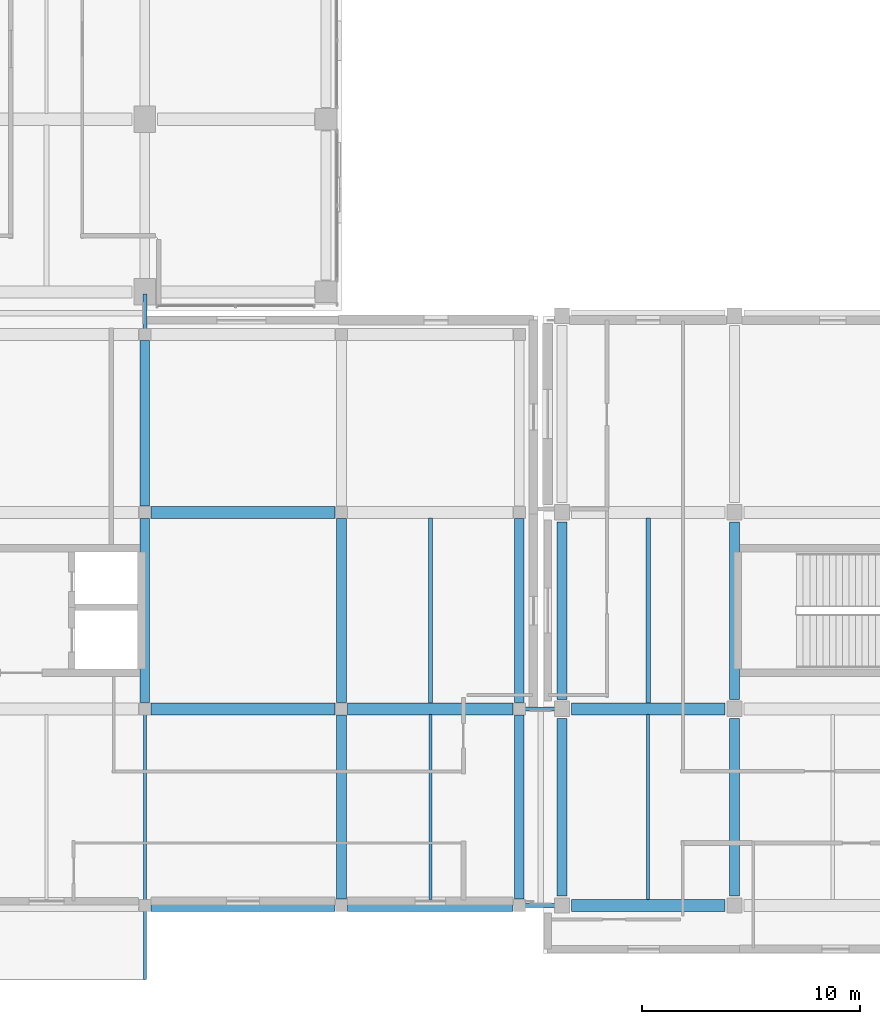
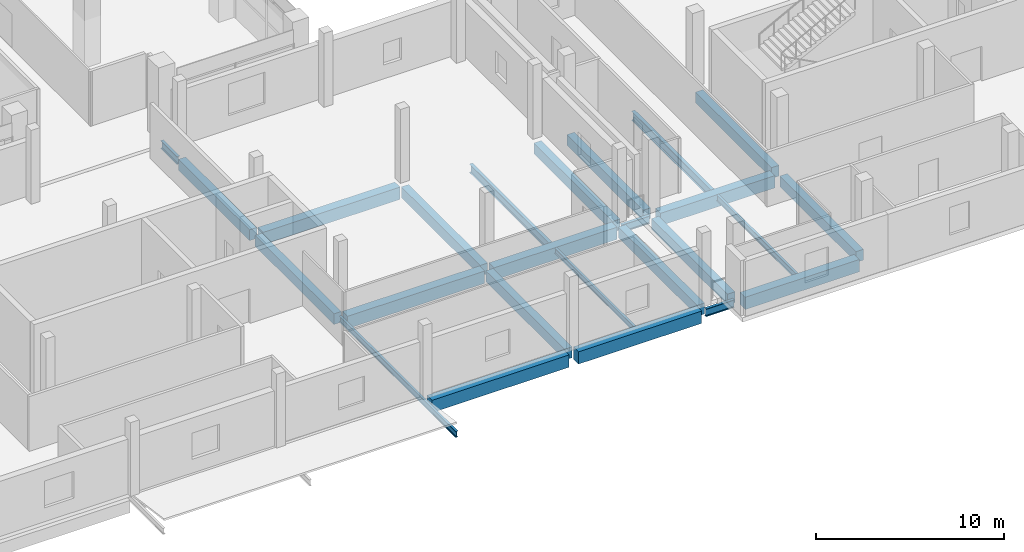
# One storey, part 7 of 111: 25 beams.
"""IFC4 building model written with IfcOpenShell, lengths in metres."""

from ifc_helpers import new_model, si_unit, direction, frame, origin, origin_2d, place, context, subcontext, project, spatial, rectangle, i_section, extrude, material, material_profile, profile_set, type_object, element, save


model = new_model("IFC4")

# Units and contexts
model_context = context("Model", 3, precision=1e-05, world=origin(), true_north=direction((0.0, 1.0)))
body_context = subcontext(model_context, "Body", "Model", "MODEL_VIEW")
ifc_project = project(units=[si_unit("LENGTHUNIT", "METRE"), si_unit("AREAUNIT", "SQUARE_METRE"), si_unit("VOLUMEUNIT", "CUBIC_METRE"), si_unit("PLANEANGLEUNIT", "RADIAN"), si_unit("MASSUNIT", "GRAM", prefix="KILO"), si_unit("THERMODYNAMICTEMPERATUREUNIT", "KELVIN"), si_unit("POWERUNIT", "WATT")], contexts=[model_context])

# Site, building, storey
site_placement = place(None, origin())
site = spatial("IfcSite", under=ifc_project, at=site_placement, CompositionType="ELEMENT")
building_placement = place(site_placement, origin())
building = spatial("IfcBuilding", under=site, at=building_placement, Name="Sindhuravela Promenade Stadium", CompositionType="ELEMENT")
storey_placement = place(building_placement, frame((0.0, 0.0, 9.60009765625)))
storey = spatial("IfcBuildingStorey", under=building, at=storey_placement, Name="L02", CompositionType="ELEMENT", Elevation=9.60009765625)

# Beams
ifc_material_1 = material(Name="Concrete M40", Category="concrete")
ifc_material_profile_1 = material_profile(ifc_material_1, rectangle(XDim=0.449951171875, YDim=0.699951171875, at=origin_2d()), Name="RC 450x700")
ifc_profile_set_1 = profile_set([ifc_material_profile_1], Name="Concrete M40")
beam_type_1 = type_object("IfcBeamType", Name="RC-BM-450x700", PredefinedType="BEAM", material=ifc_profile_set_1)
for number, where, z_axis, x_axis, name in (
    (1, (55.10009765625, 9.43994140625, -0.630126953125), (0.0, 1.0, 0.0), (-1.0, 0.0, 0.0), "Primary beam GB07 SOUTH L02"),
    (2, (55.10009765625, 18.43994140625, -0.630126953125), (0.0, 1.0, 0.0), (-1.0, 0.0, 0.0), "Primary beam GB07 SOUTH L02"),
    (3, (63.0, 9.43994140625, -0.630126953125), (0.0, 1.0, 0.0), (-1.0, 0.0, 0.0), "Primary beam GB07 SOUTH L02"),
    (4, (63.0, 18.43994140625, -0.630126953125), (0.0, 1.0, 0.0), (-1.0, 0.0, 0.0), "Primary beam GB07 SOUTH L02"),
):
    element("IfcBeam", number, at=place(storey_placement, frame(where, z_axis=z_axis, x_axis=x_axis)), inside=storey, type_object=beam_type_1, Name=name, PredefinedType="BEAM", context=body_context, shape_type="SweptSolid", body=[
        extrude(rectangle(XDim=0.449951171875, YDim=0.699951171875, at=origin_2d()), origin(), (0.0, 0.0, 1.0), 8.1201171875),
    ])
beam_1_placement = place(storey_placement, frame((36.0, 18.2900390625, -0.585205078125), z_axis=(0.0, 1.0, 0.0), x_axis=(-1.0, 0.0, 0.0)))
element("IfcBeam", 5, at=beam_1_placement, inside=storey, type_object=beam_type_1, Name="Primary beam GB07 Pavilion SW L02", PredefinedType="BEAM", context=body_context, shape_type="SweptSolid", body=[
    extrude(rectangle(XDim=0.449951171875, YDim=0.699951171875, at=origin_2d()), origin(), (0.0, 0.0, 1.0), 8.419921875),
])
beam_2_placement = place(storey_placement, frame((36.0, 27.2900390625, -0.585205078125), z_axis=(0.0, 1.0, 0.0), x_axis=(-1.0, 0.0, 0.0)))
element("IfcBeam", 6, at=beam_2_placement, inside=storey, type_object=beam_type_1, Name="Primary beam GB07 Pavilion SW L02", PredefinedType="BEAM", context=body_context, shape_type="SweptSolid", body=[
    extrude(rectangle(XDim=0.449951171875, YDim=0.699951171875, at=origin_2d()), origin(), (0.0, 0.0, 1.0), 7.570068359375),
])
for number, where, z_axis, x_axis, name in (
    (7, (45.0, 9.2900390625, -0.585205078125), (0.0, 1.0, 0.0), (-1.0, 0.0, 0.0), "Primary beam GB07 Pavilion SW L02"),
    (8, (45.0, 18.2900390625, -0.585205078125), (0.0, 1.0, 0.0), (-1.0, 0.0, 0.0), "Primary beam GB07 Pavilion SW L02"),
    (9, (53.14990234375, 9.2900390625, -0.585205078125), (0.0, 1.0, 0.0), (-1.0, 0.0, 0.0), "Primary beam GB07 Pavilion SW L02"),
    (10, (53.14990234375, 18.2900390625, -0.585205078125), (0.0, 1.0, 0.0), (-1.0, 0.0, 0.0), "Primary beam GB07 Pavilion SW L02"),
):
    element("IfcBeam", number, at=place(storey_placement, frame(where, z_axis=z_axis, x_axis=x_axis)), inside=storey, type_object=beam_type_1, Name=name, PredefinedType="BEAM", context=body_context, shape_type="SweptSolid", body=[
        extrude(rectangle(XDim=0.449951171875, YDim=0.699951171875, at=origin_2d()), origin(), (0.0, 0.0, 1.0), 8.419921875),
    ])
ifc_material_profile_2 = material_profile(ifc_material_1, rectangle(XDim=0.550048828125, YDim=0.800048828125, at=origin_2d()), Name="RC 550x800")
ifc_profile_set_2 = profile_set([ifc_material_profile_2], Name="Concrete M40")
beam_type_2 = type_object("IfcBeamType", Name="RC-BM-550x800", PredefinedType="BEAM", material=ifc_profile_set_2)
for number, where, z_axis, x_axis, name in (
    (11, (55.5400390625, 9.0, -0.68017578125), (1.0, 0.0, 0.0), (0.0, 1.0, 0.0), "Primary girder GB05 SOUTH L02"),
    (12, (55.5400390625, 18.0, -0.68017578125), (1.0, 0.0, 0.0), (0.0, 1.0, 0.0), "Primary girder GB05 SOUTH L02"),
):
    element("IfcBeam", number, at=place(storey_placement, frame(where, z_axis=z_axis, x_axis=x_axis)), inside=storey, type_object=beam_type_2, Name=name, PredefinedType="BEAM", context=body_context, shape_type="SweptSolid", body=[
        extrude(rectangle(XDim=0.550048828125, YDim=0.800048828125, at=origin_2d()), origin(), (0.0, 0.0, 1.0), 7.02001953125),
    ])
beam_3_placement = place(storey_placement, frame((36.2900390625, 9.0, -0.635009765625), z_axis=(1.0, 0.0, 0.0), x_axis=(0.0, 1.0, 0.0)))
element("IfcBeam", 13, at=beam_3_placement, inside=storey, type_object=beam_type_2, Name="Primary girder GB05 Pavilion SW L02", PredefinedType="BEAM", context=body_context, shape_type="SweptSolid", body=[
    extrude(rectangle(XDim=0.550048828125, YDim=0.800048828125, at=origin_2d()), origin(), (0.0, 0.0, 1.0), 8.419921875),
])
beam_4_placement = place(storey_placement, frame((45.2900390625, 9.0, -0.635009765625), z_axis=(1.0, 0.0, 0.0), x_axis=(0.0, 1.0, 0.0)))
element("IfcBeam", 14, at=beam_4_placement, inside=storey, type_object=beam_type_2, Name="Primary girder GB05 Pavilion SW L02", PredefinedType="BEAM", context=body_context, shape_type="SweptSolid", body=[
    extrude(rectangle(XDim=0.550048828125, YDim=0.800048828125, at=origin_2d()), origin(), (0.0, 0.0, 1.0), 7.570068359375),
])
beam_5_placement = place(storey_placement, frame((36.2900390625, 18.0, -0.635009765625), z_axis=(1.0, 0.0, 0.0), x_axis=(0.0, 1.0, 0.0)))
element("IfcBeam", 15, at=beam_5_placement, inside=storey, type_object=beam_type_2, Name="Primary girder GB05 Pavilion SW L02", PredefinedType="BEAM", context=body_context, shape_type="SweptSolid", body=[
    extrude(rectangle(XDim=0.550048828125, YDim=0.800048828125, at=origin_2d()), origin(), (0.0, 0.0, 1.0), 8.419921875),
])
beam_6_placement = place(storey_placement, frame((45.2900390625, 18.0, -0.635009765625), z_axis=(1.0, 0.0, 0.0), x_axis=(0.0, 1.0, 0.0)))
element("IfcBeam", 16, at=beam_6_placement, inside=storey, type_object=beam_type_2, Name="Primary girder GB05 Pavilion SW L02", PredefinedType="BEAM", context=body_context, shape_type="SweptSolid", body=[
    extrude(rectangle(XDim=0.550048828125, YDim=0.800048828125, at=origin_2d()), origin(), (0.0, 0.0, 1.0), 7.570068359375),
])
beam_7_placement = place(storey_placement, frame((36.2900390625, 27.0, -0.635009765625), z_axis=(1.0, 0.0, 0.0), x_axis=(0.0, 1.0, 0.0)))
element("IfcBeam", 17, at=beam_7_placement, inside=storey, type_object=beam_type_2, Name="Primary girder GB05 Pavilion SW L02", PredefinedType="BEAM", context=body_context, shape_type="SweptSolid", body=[
    extrude(rectangle(XDim=0.550048828125, YDim=0.800048828125, at=origin_2d()), origin(), (0.0, 0.0, 1.0), 8.419921875),
])
ifc_material_2 = material(Name="Steel E350 (IS 2062 E350BR)", Category="steel")
ifc_material_profile_3 = material_profile(ifc_material_2, i_section(OverallWidth=0.139892578125, OverallDepth=0.35009765625, WebThickness=0.008056640625, FlangeThickness=0.01416015625, FilletRadius=0.013916015625, at=origin_2d()), Name="ISMB 350")
ifc_profile_set_3 = profile_set([ifc_material_profile_3], Name="Steel E350 (IS 2062 E350BR)")
beam_type_3 = type_object("IfcBeamType", Name="ST-BM-MB350", PredefinedType="JOIST", material=ifc_profile_set_3)
beam_8_placement = place(storey_placement, frame((49.074951171875, 9.264892578125, -0.41015625), z_axis=(0.0, 1.0, 0.0), x_axis=(-1.0, 0.0, 0.0)))
element("IfcBeam", 18, at=beam_8_placement, inside=storey, type_object=beam_type_3, Name="Secondary floor joist SB04 Pavilion SW L02", PredefinedType="JOIST", context=body_context, shape_type="SweptSolid", body=[
    extrude(i_section(OverallWidth=0.139892578125, OverallDepth=0.35009765625, WebThickness=0.008056640625, FlangeThickness=0.01416015625, FilletRadius=0.013916015625, at=origin_2d()), origin(), (0.0, 0.0, 1.0), 8.47021484375),
])
ifc_material_profile_4 = material_profile(ifc_material_2, i_section(OverallWidth=0.139892578125, OverallDepth=0.39990234375, WebThickness=0.0087890625, FlangeThickness=0.01611328125, FilletRadius=0.013916015625, at=origin_2d()), Name="ISMB 400")
ifc_profile_set_4 = profile_set([ifc_material_profile_4], Name="Steel E350 (IS 2062 E350BR)")
beam_type_4 = type_object("IfcBeamType", Name="ST-BM-MB400", PredefinedType="BEAM", material=ifc_profile_set_4)
beam_9_placement = place(storey_placement, frame((59.050048828125, 9.264892578125, -0.47998046875), z_axis=(0.0, 1.0, 0.0), x_axis=(-1.0, 0.0, 0.0)))
element("IfcBeam", 19, at=beam_9_placement, inside=storey, type_object=beam_type_4, Name="Secondary floor joist SB05 SOUTH L02", PredefinedType="BEAM", context=body_context, shape_type="SweptSolid", body=[
    extrude(i_section(OverallWidth=0.139892578125, OverallDepth=0.39990234375, WebThickness=0.0087890625, FlangeThickness=0.01611328125, FilletRadius=0.013916015625, at=origin_2d()), origin(), (0.0, 0.0, 1.0), 8.47021484375),
])
beam_10_placement = place(storey_placement, frame((36.0, 18.0, -0.4501953125), z_axis=(0.0, -1.0, 0.0), x_axis=(1.0, 0.0, 0.0)))
element("IfcBeam", 20, at=beam_10_placement, inside=storey, type_object=beam_type_4, Name="Main entrance canopy cantilever beam SW-3", PredefinedType="BEAM", context=body_context, shape_type="SweptSolid", body=[
    extrude(i_section(OverallWidth=0.139892578125, OverallDepth=0.39990234375, WebThickness=0.0087890625, FlangeThickness=0.01611328125, FilletRadius=0.013916015625, at=origin_2d()), origin(), (0.0, 0.0, 1.0), 12.39990234375),
])
ifc_material_profile_5 = material_profile(ifc_material_2, i_section(OverallWidth=0.179931640625, OverallDepth=0.5, WebThickness=0.01025390625, FlangeThickness=0.01708984375, FilletRadius=0.01708984375, at=origin_2d()), Name="ISMB 500")
ifc_profile_set_5 = profile_set([ifc_material_profile_5], Name="Steel E350 (IS 2062 E350BR)")
beam_type_5 = type_object("IfcBeamType", Name="ST-BM-MB500", PredefinedType="BEAM", material=ifc_profile_set_5)
for number, where, z_axis, x_axis, name in (
    (21, (36.0, 35.25, -0.610107421875), (0.0, 1.0, 0.0), (-1.0, 0.0, 0.0), "Concourse link bridge L02 West-SW PTFE sliding girder R"),
    (22, (53.25, 9.0, -0.610107421875), (1.0, 0.0, 0.0), (0.0, 1.0, 0.0), "Concourse link bridge L02 South-SW PTFE sliding girder B"),
    (23, (53.25, 18.0, -0.610107421875), (1.0, 0.0, 0.0), (0.0, 1.0, 0.0), "Concourse link bridge L02 South-SW PTFE sliding girder T"),
):
    element("IfcBeam", number, at=place(storey_placement, frame(where, z_axis=z_axis, x_axis=x_axis)), inside=storey, type_object=beam_type_5, Name=name, PredefinedType="BEAM", context=body_context, shape_type="SweptSolid", body=[
        extrude(i_section(OverallWidth=0.179931640625, OverallDepth=0.5, WebThickness=0.01025390625, FlangeThickness=0.01708984375, FilletRadius=0.01708984375, at=origin_2d()), origin(), (0.0, 0.0, 1.0), 1.75),
    ])
ifc_material_profile_6 = material_profile(ifc_material_2, i_section(OverallWidth=0.18994140625, OverallDepth=0.550048828125, WebThickness=0.01123046875, FlangeThickness=0.019287109375, FilletRadius=0.01806640625, at=origin_2d()), Name="ISMB 550")
ifc_profile_set_6 = profile_set([ifc_material_profile_6], Name="Steel E350 (IS 2062 E350BR)")
beam_type_6 = type_object("IfcBeamType", Name="ST-BM-MB550", PredefinedType="SPANDREL", material=ifc_profile_set_6)
beam_11_placement = place(storey_placement, frame((49.074951171875, 18.264892578125, -0.510009765625), z_axis=(0.0, 1.0, 0.0), x_axis=(-1.0, 0.0, 0.0)))
element("IfcBeam", 24, at=beam_11_placement, inside=storey, type_object=beam_type_6, Name="Secondary floor joist SB08 Pavilion SW L02", PredefinedType="SPANDREL", context=body_context, shape_type="SweptSolid", body=[
    extrude(i_section(OverallWidth=0.18994140625, OverallDepth=0.550048828125, WebThickness=0.01123046875, FlangeThickness=0.019287109375, FilletRadius=0.01806640625, at=origin_2d()), origin(), (0.0, 0.0, 1.0), 8.47021484375),
])
ifc_material_profile_7 = material_profile(ifc_material_2, i_section(OverallWidth=0.2099609375, OverallDepth=0.60009765625, WebThickness=0.011962890625, FlangeThickness=0.020751953125, FilletRadius=0.02001953125, at=origin_2d()), Name="ISMB 600")
ifc_profile_set_7 = profile_set([ifc_material_profile_7], Name="Steel E350 (IS 2062 E350BR)")
beam_type_7 = type_object("IfcBeamType", Name="ST-BM-MB600", PredefinedType="BEAM", material=ifc_profile_set_7)
beam_12_placement = place(storey_placement, frame((59.050048828125, 18.264892578125, -0.580078125), z_axis=(0.0, 1.0, 0.0), x_axis=(-1.0, 0.0, 0.0)))
element("IfcBeam", 25, at=beam_12_placement, inside=storey, type_object=beam_type_7, Name="Secondary floor joist SB09 SOUTH L02", PredefinedType="BEAM", context=body_context, shape_type="SweptSolid", body=[
    extrude(i_section(OverallWidth=0.2099609375, OverallDepth=0.60009765625, WebThickness=0.011962890625, FlangeThickness=0.020751953125, FilletRadius=0.02001953125, at=origin_2d()), origin(), (0.0, 0.0, 1.0), 8.47021484375),
])

save(model, "model.ifc")
